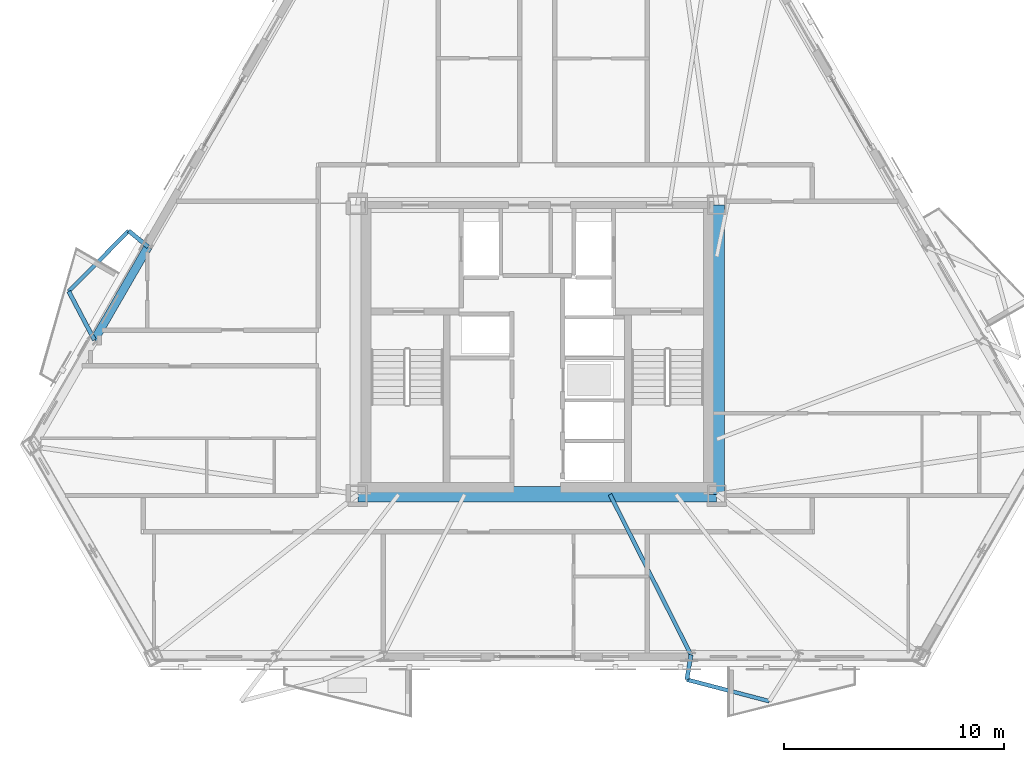
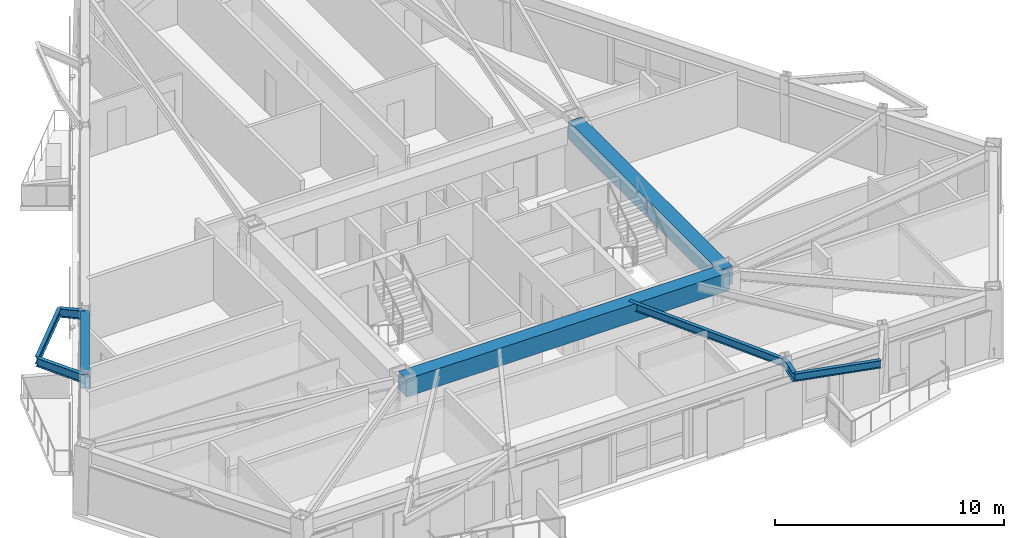
# One storey, part 4 of 16: 9 beams.
"""IFC4 building model written with IfcOpenShell, lengths in metres."""

from ifc_helpers import new_model, si_unit, direction, frame, origin, origin_2d, place, context, subcontext, project, spatial, rectangle, i_section, extrude, material, material_profile, profile_set, type_object, element, save


model = new_model("IFC4")

# Units and contexts
model_context = context("Model", 3, precision=1e-05, world=origin(), true_north=direction((0.0, 1.0)))
body_context = subcontext(model_context, "Body", "Model", "MODEL_VIEW")
ifc_project = project(units=[si_unit("LENGTHUNIT", "METRE"), si_unit("AREAUNIT", "SQUARE_METRE"), si_unit("VOLUMEUNIT", "CUBIC_METRE"), si_unit("PLANEANGLEUNIT", "RADIAN"), si_unit("MASSUNIT", "GRAM", prefix="KILO")], contexts=[model_context])

# Site, building, storey
site_placement = place(None, origin())
site = spatial("IfcSite", under=ifc_project, at=site_placement, CompositionType="ELEMENT")
building_placement = place(site_placement, origin())
building = spatial("IfcBuilding", under=site, at=building_placement, Name="Oramaril Tower", CompositionType="ELEMENT")
storey_placement = place(building_placement, frame((0.0, 0.0, 115.800048828125)))
storey = spatial("IfcBuildingStorey", under=building, at=storey_placement, Name="L30", CompositionType="ELEMENT", Elevation=115.800048828125)

# Beams
ifc_material_1 = material(Name="Steel ASTM A572 Gr 50", Category="steel")
ifc_material_profile_1 = material_profile(ifc_material_1, i_section(OverallWidth=0.19091796875, OverallDepth=0.45703125, WebThickness=0.009033203125, FlangeThickness=0.014404296875, at=origin_2d()), Name="W18X50")
ifc_profile_set_1 = profile_set([ifc_material_profile_1], Name="Steel ASTM A572 Gr 50")
beam_type_1 = type_object("IfcBeamType", Name="BT-BB1", PredefinedType="BEAM", material=ifc_profile_set_1)
for number, where, z_axis, x_axis, name in (
    (1, (44.480224609375, 3.712890625, 3.13134765625), (-0.162736411276, -0.986669580176, 0.0), (0.986669580176, -0.162736411276, 0.0), "L30 Balcony Column-Framed Cantilever 02.1"),
    (2, (19.818359375, 22.248291015625, 3.13134765625), (-0.77310022258, 0.634283884272, 0.0), (-0.634283884272, -0.77310022258, 0.0), "L30 Balcony Column-Framed Cantilever 06.1"),
):
    element("IfcBeam", number, at=place(storey_placement, frame(where, z_axis=z_axis, x_axis=x_axis)), inside=storey, type_object=beam_type_1, Name=name, PredefinedType="BEAM", context=body_context, shape_type="SweptSolid", body=[
        extrude(i_section(OverallWidth=0.19091796875, OverallDepth=0.45703125, WebThickness=0.009033203125, FlangeThickness=0.014404296875, at=origin_2d()), origin(), (0.0, 0.0, 1.0), 1.14306640625),
    ])
beam_1_placement = place(storey_placement, frame((17.375244140625, 18.016845703125, 3.13134765625), z_axis=(-0.466162381984, 0.884699176909, 0.0), x_axis=(-0.884699176909, -0.466162381984, 0.0)))
element("IfcBeam", 3, at=beam_1_placement, inside=storey, type_object=beam_type_1, Name="L30 Balcony Column-Framed Cantilever 06.2", PredefinedType="BEAM", context=body_context, shape_type="SweptSolid", body=[
    extrude(i_section(OverallWidth=0.19091796875, OverallDepth=0.45703125, WebThickness=0.009033203125, FlangeThickness=0.014404296875, at=origin_2d()), origin(), (0.0, 0.0, 1.0), 2.491455078125),
])
ifc_material_2 = material(Name="Concrete C50/60", Category="concrete")
ifc_material_profile_2 = material_profile(ifc_material_2, rectangle(XDim=0.699951171875, YDim=0.949951171875, at=origin_2d()), Name="CB700X950")
ifc_profile_set_2 = profile_set([ifc_material_profile_2], Name="Concrete C50/60")
beam_type_2 = type_object("IfcBeamType", Name="BT-CB1", PredefinedType="BEAM", material=ifc_profile_set_2)
beam_2_placement = place(storey_placement, frame((29.35009765625, 11.0, 2.885009765625), z_axis=(1.0, 0.0, 0.0), x_axis=(0.0, 1.0, 0.0)))
element("IfcBeam", 4, at=beam_2_placement, inside=storey, type_object=beam_type_2, Name="L30 Core Header Beam CB-1", PredefinedType="BEAM", context=body_context, shape_type="SweptSolid", body=[
    extrude(rectangle(XDim=0.699951171875, YDim=0.949951171875, at=origin_2d()), origin(), (0.0, 0.0, 1.0), 16.2998046875),
])
beam_3_placement = place(storey_placement, frame((45.64990234375, 11.0, 2.885009765625), z_axis=(0.0, 1.0, 0.0), x_axis=(-1.0, 0.0, 0.0)))
element("IfcBeam", 5, at=beam_3_placement, inside=storey, type_object=beam_type_2, Name="L30 Core Header Beam CB-2", PredefinedType="BEAM", context=body_context, shape_type="SweptSolid", body=[
    extrude(rectangle(XDim=0.699951171875, YDim=0.949951171875, at=origin_2d()), origin(), (0.0, 0.0, 1.0), 13.14990234375),
])
ifc_material_3 = material(Name="Steel ASTM A572 Gr 50", Category="steel")
ifc_material_profile_3 = material_profile(ifc_material_3, i_section(OverallWidth=0.177978515625, OverallDepth=0.404052734375, WebThickness=0.007568359375, FlangeThickness=0.010986328125, at=origin_2d()), Name="W16X36")
ifc_profile_set_3 = profile_set([ifc_material_profile_3], Name="Steel ASTM A572 Gr 50")
beam_type_3 = type_object("IfcBeamType", Name="BT-SB1", PredefinedType="BEAM", material=ifc_profile_set_3)
beam_4_placement = place(storey_placement, frame((40.800048828125, 11.0, 3.157958984375), z_axis=(0.450798681058, -0.892625648946, 0.0), x_axis=(0.892625648946, 0.450798681058, 0.0)))
element("IfcBeam", 6, at=beam_4_placement, inside=storey, type_object=beam_type_3, Name="L30 Secondary Floor Beam SB-03", PredefinedType="BEAM", context=body_context, shape_type="SweptSolid", body=[
    extrude(i_section(OverallWidth=0.177978515625, OverallDepth=0.404052734375, WebThickness=0.007568359375, FlangeThickness=0.010986328125, at=origin_2d()), origin(), (0.0, 0.0, 1.0), 8.16357421875),
])
beam_5_placement = place(storey_placement, frame((44.294189453125, 2.5849609375, 3.157958984375), z_axis=(0.967411967632, -0.253207592467, 0.0), x_axis=(0.253207592467, 0.967411967632, 0.0)))
element("IfcBeam", 7, at=beam_5_placement, inside=storey, type_object=beam_type_3, Name="L30 Balcony Edge Tie Beam 02", PredefinedType="BEAM", context=body_context, shape_type="SweptSolid", body=[
    extrude(i_section(OverallWidth=0.177978515625, OverallDepth=0.404052734375, WebThickness=0.007568359375, FlangeThickness=0.010986328125, at=origin_2d()), origin(), (0.0, 0.0, 1.0), 3.870361328125),
])
beam_6_placement = place(storey_placement, frame((18.9345703125, 22.973388671875, 3.157958984375), z_axis=(-0.702994511648, -0.71119527318, 0.0), x_axis=(0.71119527318, -0.702994511648, 0.0)))
element("IfcBeam", 8, at=beam_6_placement, inside=storey, type_object=beam_type_3, Name="L30 Balcony Edge Tie Beam 06", PredefinedType="BEAM", context=body_context, shape_type="SweptSolid", body=[
    extrude(i_section(OverallWidth=0.177978515625, OverallDepth=0.404052734375, WebThickness=0.007568359375, FlangeThickness=0.010986328125, at=origin_2d()), origin(), (0.0, 0.0, 1.0), 3.8701171875),
])
ifc_material_4 = material(Name="Steel ASTM A572 Gr 50", Category="steel")
ifc_material_profile_4 = material_profile(ifc_material_4, i_section(OverallWidth=0.381103515625, OverallDepth=0.77197265625, WebThickness=0.0166015625, FlangeThickness=0.027099609375, at=origin_2d()), Name="W30X173")
ifc_profile_set_4 = profile_set([ifc_material_profile_4], Name="Steel ASTM A572 Gr 50")
beam_type_4 = type_object("IfcBeamType", Name="BT-SP2", PredefinedType="SPANDREL", material=ifc_profile_set_4)
beam_7_placement = place(storey_placement, frame((19.818359375, 22.248291015625, 2.973876953125), z_axis=(-0.500013683274, -0.866017503598, 0.0), x_axis=(0.866017503598, -0.500013683274, 0.0)))
element("IfcBeam", 9, at=beam_7_placement, inside=storey, type_object=beam_type_4, Name="L30 Perimeter Spandrel 17", PredefinedType="SPANDREL", context=body_context, shape_type="SweptSolid", body=[
    extrude(i_section(OverallWidth=0.381103515625, OverallDepth=0.77197265625, WebThickness=0.0166015625, FlangeThickness=0.027099609375, at=origin_2d()), origin(), (0.0, 0.0, 1.0), 4.885986328125),
])

save(model, "model.ifc")
